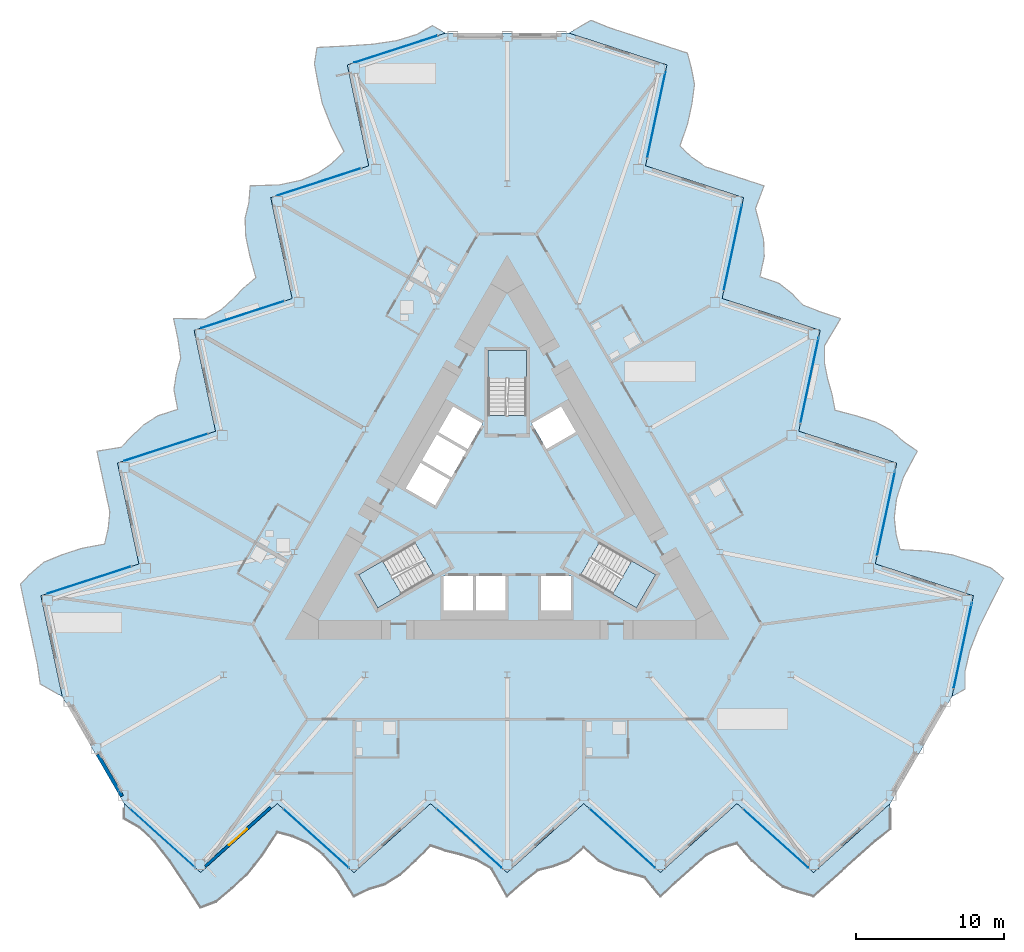
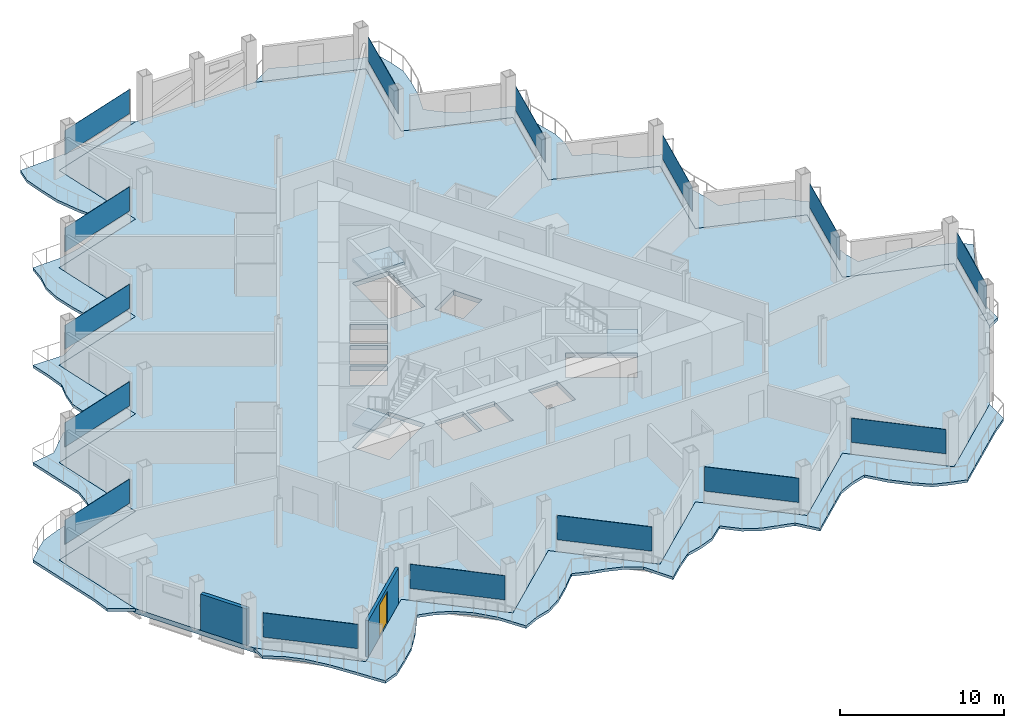
# One storey, part 10 of 23: 15 plates, 7 slabs, 2 walls, 1 door, 1 opening, 18 elements without a shape of their own.
"""IFC4 building model written with IfcOpenShell, lengths in metres."""

from ifc_helpers import new_model, si_unit, direction, frame, frame_2d, origin, origin_2d, place, context, subcontext, project, spatial, polyline, rectangle, outline, extrude, material, layer, layer_set, type_object, element, fill, aggregate, save


model = new_model("IFC4")

# Units and contexts
model_context = context("Model", 3, precision=1e-05, world=origin(), true_north=direction((0.0, 1.0)))
body_context = subcontext(model_context, "Body", "Model", "MODEL_VIEW")
ifc_project = project(units=[si_unit("LENGTHUNIT", "METRE"), si_unit("AREAUNIT", "SQUARE_METRE"), si_unit("VOLUMEUNIT", "CUBIC_METRE"), si_unit("PLANEANGLEUNIT", "RADIAN"), si_unit("MASSUNIT", "GRAM", prefix="KILO")], contexts=[model_context])

# Site, building, storey
site_placement = place(None, origin())
site = spatial("IfcSite", under=ifc_project, at=site_placement, CompositionType="ELEMENT")
building_placement = place(site_placement, origin())
building = spatial("IfcBuilding", under=site, at=building_placement, Name="Cormorant Prow Tower", CompositionType="ELEMENT")
storey_placement = place(building_placement, frame((0.0, 0.0, 249.0)))
storey = spatial("IfcBuildingStorey", under=building, at=storey_placement, Name="L55", CompositionType="ELEMENT", Elevation=249.0)

# Slabs
ifc_material_1 = material(Name="Concrete C40/50", Category="concrete")
ifc_layer_1 = layer(ifc_material_1, 0.199951171875)
ifc_layer_set_1 = layer_set([ifc_layer_1], Name="Concrete C40/50")
slab_type_1 = type_object("IfcSlabType", Name="Balcony slab 200", PredefinedType="FLOOR", material=ifc_layer_set_1)
slab_1_placement = place(storey_placement, frame((0.0, 0.0, -0.199951171875)))
element("IfcSlab", 1, at=slab_1_placement, inside=storey, type_object=slab_type_1, Name="Balcony slab S L55", PredefinedType="FLOOR", context=body_context, shape_type="SweptSolid", body=[
    extrude(outline(polyline([(-25.87841796875, -19.75830078125), (-25.87841796875, -20.7744140625), (-24.84326171875, -21.37548828125), (-23.808349609375, -22.331298828125), (-22.773193359375, -23.634521484375), (-21.738037109375, -25.177001953125), (-20.702880859375, -26.78076171875), (-19.667724609375, -26.38525390625), (-18.632568359375, -25.50439453125), (-17.597412109375, -24.572265625), (-16.562255859375, -23.269775390625), (-15.527099609375, -21.69287109375), (-14.491943359375, -21.969970703125), (-13.456787109375, -22.427978515625), (-12.421630859375, -23.20556640625), (-11.386474609375, -24.34716796875), (-10.351318359375, -26.018310546875), (-9.316162109375, -25.52685546875), (-8.281005859375, -25.22021484375), (-7.24609375, -24.572265625), (-6.2109375, -23.64013671875), (-5.17578125, -22.58984375), (-4.140625, -22.952392578125), (-3.10546875, -23.20947265625), (-2.0703125, -23.5576171875), (-1.03515625, -24.16748046875), (0.0, -26.018310546875), (1.03515625, -25.08642578125), (2.0703125, -24.262939453125), (3.10546875, -24.00146484375), (4.140625, -23.599853515625), (5.17578125, -22.708251953125), (6.2109375, -23.64013671875), (7.24609375, -24.1865234375), (8.281005859375, -24.470947265625), (9.316162109375, -24.75048828125), (10.351318359375, -26.018310546875), (11.386474609375, -25.08642578125), (12.421630859375, -24.154296875), (13.456787109375, -23.22216796875), (14.491943359375, -22.748779296875), (15.527099609375, -22.4384765625), (16.562255859375, -23.64013671875), (17.597412109375, -24.572265625), (18.632568359375, -25.373779296875), (19.667724609375, -25.731201171875), (20.702880859375, -26.018310546875), (21.738037109375, -25.08642578125), (22.773193359375, -24.154296875), (23.808349609375, -23.22216796875), (24.84326171875, -22.290283203125), (25.87841796875, -21.48486328125), (25.87841796875, -19.75830078125), (24.84326171875, -20.690185546875), (23.808349609375, -21.622314453125), (22.773193359375, -22.554443359375), (21.738037109375, -23.486328125), (20.702880859375, -24.41845703125), (19.667724609375, -23.486328125), (18.632568359375, -22.554443359375), (17.597412109375, -21.622314453125), (16.562255859375, -20.690185546875), (15.527099609375, -19.75830078125), (14.491943359375, -20.690185546875), (13.456787109375, -21.622314453125), (12.421630859375, -22.554443359375), (11.386474609375, -23.486328125), (10.351318359375, -24.41845703125), (9.316162109375, -23.486328125), (8.281005859375, -22.554443359375), (7.24609375, -21.622314453125), (6.2109375, -20.690185546875), (5.17578125, -19.75830078125), (4.140625, -20.690185546875), (3.10546875, -21.622314453125), (2.0703125, -22.554443359375), (1.03515625, -23.486328125), (0.0, -24.41845703125), (-1.03515625, -23.486328125), (-2.0703125, -22.554443359375), (-3.10546875, -21.622314453125), (-4.140625, -20.690185546875), (-5.17578125, -19.75830078125), (-6.2109375, -20.690185546875), (-7.24609375, -21.622314453125), (-8.281005859375, -22.554443359375), (-9.316162109375, -23.486328125), (-10.351318359375, -24.41845703125), (-11.386474609375, -23.486328125), (-12.421630859375, -22.554443359375), (-13.456787109375, -21.622314453125), (-14.491943359375, -20.690185546875), (-15.527099609375, -19.75830078125), (-16.562255859375, -20.690185546875), (-17.597412109375, -21.622314453125), (-18.632568359375, -22.554443359375), (-19.667724609375, -23.486328125), (-20.702880859375, -24.41845703125), (-21.738037109375, -23.486328125), (-22.773193359375, -22.554443359375), (-23.808349609375, -21.622314453125), (-24.84326171875, -20.690185546875), (-25.87841796875, -19.75830078125)])), origin(), (0.0, 0.0, 1.0), 0.199951171875),
])
slab_2_placement = place(storey_placement, frame((0.0, 0.0, -0.199951171875)))
element("IfcSlab", 2, at=slab_2_placement, inside=storey, type_object=slab_type_1, Name="Balcony slab ENE L55", PredefinedType="FLOOR", context=body_context, shape_type="SweptSolid", body=[
    extrude(outline(polyline([(30.05029296875, -12.532470703125), (30.930419921875, -12.0244140625), (30.93359375, -10.8271484375), (31.24365234375, -9.452880859375), (31.854736328125, -7.90478515625), (32.673095703125, -6.237060546875), (33.544189453125, -4.538818359375), (32.68408203125, -3.840087890625), (31.403564453125, -3.384033203125), (30.078857421875, -2.95361328125), (28.433349609375, -2.70849609375), (26.55029296875, -2.600341796875), (26.2724609375, -1.5654296875), (26.151611328125, -0.43994140625), (26.307373046875, 0.84521484375), (26.778564453125, 2.3125), (27.708251953125, 4.044677734375), (26.764892578125, 4.6953125), (25.98193359375, 5.4384765625), (24.9033203125, 6.010986328125), (23.578369140625, 6.44140625), (22.151123046875, 6.812744140625), (21.94775390625, 7.890380859375), (21.652587890625, 8.915283203125), (21.436767578125, 9.98583984375), (21.447265625, 11.187255859375), (22.53271484375, 13.00927734375), (21.207763671875, 13.439697265625), (19.977294921875, 13.924560546875), (19.233154296875, 14.690185546875), (18.367919921875, 15.3857421875), (17.078125, 15.83642578125), (17.36767578125, 17.198974609375), (17.322998046875, 18.368408203125), (17.0517578125, 19.406982421875), (16.7763671875, 20.443359375), (17.35693359375, 21.973876953125), (16.0322265625, 22.404296875), (14.70751953125, 22.834716796875), (13.382568359375, 23.26513671875), (12.455078125, 23.9248046875), (11.668701171875, 24.666015625), (12.19189453125, 26.163330078125), (12.4814453125, 27.52587890625), (12.657958984375, 28.822998046875), (12.449951171875, 29.898193359375), (12.18115234375, 30.9384765625), (10.8564453125, 31.368896484375), (9.53173828125, 31.79931640625), (8.20703125, 32.229736328125), (6.88232421875, 32.66015625), (5.667236328125, 33.154052734375), (4.171875, 32.29052734375), (5.49658203125, 31.860107421875), (6.8212890625, 31.4296875), (8.14599609375, 30.999267578125), (9.470703125, 30.56884765625), (10.795654296875, 30.138427734375), (10.505859375, 28.77587890625), (10.21630859375, 27.413330078125), (9.9267578125, 26.051025390625), (9.63720703125, 24.6884765625), (9.34765625, 23.325927734375), (10.67236328125, 22.8955078125), (11.9970703125, 22.465087890625), (13.32177734375, 22.03466796875), (14.646484375, 21.604248046875), (15.97119140625, 21.173828125), (15.681640625, 19.811279296875), (15.39208984375, 18.44873046875), (15.1025390625, 17.08642578125), (14.812744140625, 15.723876953125), (14.523193359375, 14.361328125), (15.847900390625, 13.930908203125), (17.172607421875, 13.50048828125), (18.49755859375, 13.070068359375), (19.822265625, 12.6396484375), (21.14697265625, 12.209228515625), (20.857421875, 10.8466796875), (20.56787109375, 9.484130859375), (20.278076171875, 8.121826171875), (19.988525390625, 6.75927734375), (19.698974609375, 5.396728515625), (21.023681640625, 4.96630859375), (22.348388671875, 4.535888671875), (23.673095703125, 4.10546875), (24.997802734375, 3.675048828125), (26.32275390625, 3.24462890625), (26.032958984375, 1.882080078125), (25.743408203125, 0.519775390625), (25.453857421875, -0.8427734375), (25.164306640625, -2.205322265625), (24.874755859375, -3.56787109375), (26.199462890625, -3.998291015625), (27.524169921875, -4.4287109375), (28.848876953125, -4.859130859375), (30.173583984375, -5.28955078125), (31.498291015625, -5.719970703125), (31.208740234375, -7.08251953125), (30.919189453125, -8.44482421875), (30.629638671875, -9.807373046875), (30.33984375, -11.169921875), (30.05029296875, -12.532470703125)])), origin(), (0.0, 0.0, 1.0), 0.199951171875),
])
slab_3_placement = place(storey_placement, frame((0.0, 0.0, -0.199951171875)))
element("IfcSlab", 3, at=slab_3_placement, inside=storey, type_object=slab_type_1, Name="Balcony slab WNW L55", PredefinedType="FLOOR", context=body_context, shape_type="SweptSolid", body=[
    extrude(outline(polyline([(-4.171875, 32.29052734375), (-5.0517578125, 32.798583984375), (-6.090087890625, 32.202880859375), (-7.435302734375, 31.7841796875), (-9.08154296875, 31.539306640625), (-10.93505859375, 31.4140625), (-12.84130859375, 31.319580078125), (-13.016357421875, 30.225341796875), (-12.771240234375, 28.888427734375), (-12.4814453125, 27.52587890625), (-11.87109375, 25.978271484375), (-11.023193359375, 24.29345703125), (-11.780517578125, 23.535400390625), (-12.69482421875, 22.867919921875), (-13.8857421875, 22.360107421875), (-15.39208984375, 22.03466796875), (-17.35693359375, 21.973876953125), (-17.44873046875, 20.83154296875), (-17.700927734375, 19.78173828125), (-17.6572265625, 18.561279296875), (-17.36767578125, 17.198974609375), (-16.9755859375, 15.777099609375), (-17.80712890625, 15.06201171875), (-18.547119140625, 14.294189453125), (-19.366455078125, 13.57177734375), (-20.412109375, 12.980224609375), (-22.53271484375, 13.00927734375), (-22.242919921875, 11.646728515625), (-22.047607421875, 10.338623046875), (-22.338623046875, 9.311279296875), (-22.508544921875, 8.214111328125), (-22.253662109375, 6.871826171875), (-23.578369140625, 6.44140625), (-24.569091796875, 5.818115234375), (-25.3330078125, 5.063720703125), (-26.092529296875, 4.30712890625), (-27.708251953125, 4.044677734375), (-27.418701171875, 2.68212890625), (-27.129150390625, 1.319580078125), (-26.839599609375, -0.042724609375), (-26.947021484375, -1.176025390625), (-27.19580078125, -2.2275390625), (-28.754150390625, -2.523193359375), (-30.078857421875, -2.95361328125), (-31.29052734375, -3.449462890625), (-32.11767578125, -4.167236328125), (-32.884033203125, -4.919921875), (-32.594482421875, -6.282470703125), (-32.3046875, -7.64501953125), (-32.01513671875, -9.00732421875), (-31.7255859375, -10.369873046875), (-31.5458984375, -11.6689453125), (-30.05029296875, -12.532470703125), (-30.33984375, -11.169921875), (-30.629638671875, -9.807373046875), (-30.919189453125, -8.44482421875), (-31.208740234375, -7.08251953125), (-31.498291015625, -5.719970703125), (-30.173583984375, -5.28955078125), (-28.848876953125, -4.859130859375), (-27.524169921875, -4.4287109375), (-26.199462890625, -3.998291015625), (-24.874755859375, -3.56787109375), (-25.164306640625, -2.205322265625), (-25.453857421875, -0.8427734375), (-25.743408203125, 0.519775390625), (-26.032958984375, 1.882080078125), (-26.32275390625, 3.24462890625), (-24.997802734375, 3.675048828125), (-23.673095703125, 4.10546875), (-22.348388671875, 4.535888671875), (-21.023681640625, 4.96630859375), (-19.698974609375, 5.396728515625), (-19.988525390625, 6.75927734375), (-20.278076171875, 8.121826171875), (-20.56787109375, 9.484130859375), (-20.857421875, 10.8466796875), (-21.14697265625, 12.209228515625), (-19.822265625, 12.6396484375), (-18.49755859375, 13.070068359375), (-17.172607421875, 13.50048828125), (-15.847900390625, 13.930908203125), (-14.523193359375, 14.361328125), (-14.812744140625, 15.723876953125), (-15.1025390625, 17.08642578125), (-15.39208984375, 18.44873046875), (-15.681640625, 19.811279296875), (-15.97119140625, 21.173828125), (-14.646484375, 21.604248046875), (-13.32177734375, 22.03466796875), (-11.9970703125, 22.465087890625), (-10.67236328125, 22.8955078125), (-9.34765625, 23.325927734375), (-9.63720703125, 24.6884765625), (-9.9267578125, 26.051025390625), (-10.21630859375, 27.413330078125), (-10.505859375, 28.77587890625), (-10.795654296875, 30.138427734375), (-9.470703125, 30.56884765625), (-8.14599609375, 30.999267578125), (-6.8212890625, 31.4296875), (-5.49658203125, 31.860107421875), (-4.171875, 32.29052734375)])), origin(), (0.0, 0.0, 1.0), 0.199951171875),
])

# Curtain wall, plate
ifc_material_2 = material(Name="Aluminium 6063-T6", Category="aluminium")
ifc_layer_2 = layer(ifc_material_2, 0.179931640625)
ifc_layer_set_2 = layer_set([ifc_layer_2], Name="Aluminium 6063-T6")
curtain_wall_type = type_object("IfcCurtainWallType", Name="Hotel unitised curtain wall 180", PredefinedType="NOTDEFINED", material=ifc_layer_set_2)
curtain_wall_1_placement = place(storey_placement, origin())
curtain_wall_1 = element("IfcCurtainWall", 4, at=curtain_wall_1_placement, inside=storey, type_object=curtain_wall_type, Name="Hotel curtain wall S00", PredefinedType="NOTDEFINED")
ifc_material_3 = material(Name="Clear glass", Category="glass")
ifc_layer_3 = layer(ifc_material_3, 0.028076171875)
ifc_layer_set_3 = layer_set([ifc_layer_3], Name="Clear glass")
plate_type = type_object("IfcPlateType", Name="Hotel glass panel 28", PredefinedType="CURTAIN_PANEL", material=ifc_layer_set_3)
plate_1_placement = place(storey_placement, frame((-23.268310546875, -22.1083984375, 0.900146484375), z_axis=(0.0, 0.0, 1.0), x_axis=(0.743144812176, -0.669130621132, 0.0)))
plate_1 = element("IfcPlate", 5, at=plate_1_placement, type_object=plate_type, Name="Hotel glass panel S00", PredefinedType="CURTAIN_PANEL", context=body_context, shape_type="SweptSolid", body=[
    extrude(rectangle(XDim=5.902587890625, YDim=0.028076171875, at=origin_2d()), origin(), (0.0, 0.0, 1.0), 1.80078125),
])
aggregate(curtain_wall_1, [plate_1])

curtain_wall_2_placement = place(storey_placement, origin())
curtain_wall_2 = element("IfcCurtainWall", 6, at=curtain_wall_2_placement, inside=storey, type_object=curtain_wall_type, Name="Hotel curtain wall S02", PredefinedType="NOTDEFINED")
plate_2_placement = place(storey_placement, frame((-12.9169921875, -22.1083984375, 0.900146484375), z_axis=(0.0, 0.0, 1.0), x_axis=(0.743144876466, -0.66913054973, 0.0)))
plate_2 = element("IfcPlate", 7, at=plate_2_placement, type_object=plate_type, Name="Hotel glass panel S02", PredefinedType="CURTAIN_PANEL", context=body_context, shape_type="SweptSolid", body=[
    extrude(rectangle(XDim=5.902587890625, YDim=0.028076171875, at=origin_2d()), origin(), (0.0, 0.0, 1.0), 1.80078125),
])
aggregate(curtain_wall_2, [plate_2])

curtain_wall_3_placement = place(storey_placement, origin())
curtain_wall_3 = element("IfcCurtainWall", 8, at=curtain_wall_3_placement, inside=storey, type_object=curtain_wall_type, Name="Hotel curtain wall S04", PredefinedType="NOTDEFINED")
plate_3_placement = place(storey_placement, frame((-2.565673828125, -22.1083984375, 0.900146484375), z_axis=(0.0, 0.0, 1.0), x_axis=(0.743144812176, -0.669130621132, 0.0)))
plate_3 = element("IfcPlate", 9, at=plate_3_placement, type_object=plate_type, Name="Hotel glass panel S04", PredefinedType="CURTAIN_PANEL", context=body_context, shape_type="SweptSolid", body=[
    extrude(rectangle(XDim=5.902587890625, YDim=0.028076171875, at=origin_2d()), origin(), (0.0, 0.0, 1.0), 1.80078125),
])
aggregate(curtain_wall_3, [plate_3])

curtain_wall_4_placement = place(storey_placement, origin())
curtain_wall_4 = element("IfcCurtainWall", 10, at=curtain_wall_4_placement, inside=storey, type_object=curtain_wall_type, Name="Hotel curtain wall S06", PredefinedType="NOTDEFINED")
plate_4_placement = place(storey_placement, frame((7.785888671875, -22.1083984375, 0.900146484375), z_axis=(0.0, 0.0, 1.0), x_axis=(0.743144812176, -0.669130621132, 0.0)))
plate_4 = element("IfcPlate", 11, at=plate_4_placement, type_object=plate_type, Name="Hotel glass panel S06", PredefinedType="CURTAIN_PANEL", context=body_context, shape_type="SweptSolid", body=[
    extrude(rectangle(XDim=5.902587890625, YDim=0.028076171875, at=origin_2d()), origin(), (0.0, 0.0, 1.0), 1.80078125),
])
aggregate(curtain_wall_4, [plate_4])

curtain_wall_5_placement = place(storey_placement, origin())
curtain_wall_5 = element("IfcCurtainWall", 12, at=curtain_wall_5_placement, inside=storey, type_object=curtain_wall_type, Name="Hotel curtain wall S08", PredefinedType="NOTDEFINED")
plate_5_placement = place(storey_placement, frame((18.13720703125, -22.1083984375, 0.900146484375), z_axis=(0.0, 0.0, 1.0), x_axis=(0.743144812176, -0.669130621132, 0.0)))
plate_5 = element("IfcPlate", 13, at=plate_5_placement, type_object=plate_type, Name="Hotel glass panel S08", PredefinedType="CURTAIN_PANEL", context=body_context, shape_type="SweptSolid", body=[
    extrude(rectangle(XDim=5.902587890625, YDim=0.028076171875, at=origin_2d()), origin(), (0.0, 0.0, 1.0), 1.80078125),
])
aggregate(curtain_wall_5, [plate_5])

curtain_wall_6_placement = place(storey_placement, origin())
curtain_wall_6 = element("IfcCurtainWall", 14, at=curtain_wall_6_placement, inside=storey, type_object=curtain_wall_type, Name="Hotel curtain wall ENE00", PredefinedType="NOTDEFINED")
plate_6_placement = place(storey_placement, frame((30.780517578125, -9.096923828125, 0.900146484375), z_axis=(0.0, 0.0, 1.0), x_axis=(0.207911667327, 0.978147605727, 0.0)))
plate_6 = element("IfcPlate", 15, at=plate_6_placement, type_object=plate_type, Name="Hotel glass panel ENE00", PredefinedType="CURTAIN_PANEL", context=body_context, shape_type="SweptSolid", body=[
    extrude(rectangle(XDim=5.902587890625, YDim=0.028076171875, at=origin_2d()), origin(), (0.0, 0.0, 1.0), 1.80078125),
])
aggregate(curtain_wall_6, [plate_6])

curtain_wall_7_placement = place(storey_placement, origin())
curtain_wall_7 = element("IfcCurtainWall", 16, at=curtain_wall_7_placement, inside=storey, type_object=curtain_wall_type, Name="Hotel curtain wall ENE02", PredefinedType="NOTDEFINED")
plate_7_placement = place(storey_placement, frame((25.60498046875, -0.13232421875, 0.900146484375), z_axis=(0.0, 0.0, 1.0), x_axis=(0.207911667327, 0.978147605727, 0.0)))
plate_7 = element("IfcPlate", 17, at=plate_7_placement, type_object=plate_type, Name="Hotel glass panel ENE02", PredefinedType="CURTAIN_PANEL", context=body_context, shape_type="SweptSolid", body=[
    extrude(rectangle(XDim=5.902587890625, YDim=0.028076171875, at=origin_2d()), origin(), (0.0, 0.0, 1.0), 1.80078125),
])
aggregate(curtain_wall_7, [plate_7])

curtain_wall_8_placement = place(storey_placement, origin())
curtain_wall_8 = element("IfcCurtainWall", 18, at=curtain_wall_8_placement, inside=storey, type_object=curtain_wall_type, Name="Hotel curtain wall ENE04", PredefinedType="NOTDEFINED")
plate_8_placement = place(storey_placement, frame((20.42919921875, 8.832275390625, 0.900146484375), z_axis=(0.0, 0.0, 1.0), x_axis=(0.207911667327, 0.978147605727, 0.0)))
plate_8 = element("IfcPlate", 19, at=plate_8_placement, type_object=plate_type, Name="Hotel glass panel ENE04", PredefinedType="CURTAIN_PANEL", context=body_context, shape_type="SweptSolid", body=[
    extrude(rectangle(XDim=5.902587890625, YDim=0.028076171875, at=origin_2d()), origin(), (0.0, 0.0, 1.0), 1.80078125),
])
aggregate(curtain_wall_8, [plate_8])

curtain_wall_9_placement = place(storey_placement, origin())
curtain_wall_9 = element("IfcCurtainWall", 20, at=curtain_wall_9_placement, inside=storey, type_object=curtain_wall_type, Name="Hotel curtain wall ENE06", PredefinedType="NOTDEFINED")
plate_9_placement = place(storey_placement, frame((15.25341796875, 17.796875, 0.900146484375), z_axis=(0.0, 0.0, 1.0), x_axis=(0.207911833914, 0.978147570318, 0.0)))
plate_9 = element("IfcPlate", 21, at=plate_9_placement, type_object=plate_type, Name="Hotel glass panel ENE06", PredefinedType="CURTAIN_PANEL", context=body_context, shape_type="SweptSolid", body=[
    extrude(rectangle(XDim=5.902587890625, YDim=0.028076171875, at=origin_2d()), origin(), (0.0, 0.0, 1.0), 1.80078125),
])
aggregate(curtain_wall_9, [plate_9])

curtain_wall_10_placement = place(storey_placement, origin())
curtain_wall_10 = element("IfcCurtainWall", 22, at=curtain_wall_10_placement, inside=storey, type_object=curtain_wall_type, Name="Hotel curtain wall ENE08", PredefinedType="NOTDEFINED")
plate_10_placement = place(storey_placement, frame((10.077880859375, 26.761474609375, 0.900146484375), z_axis=(0.0, 0.0, 1.0), x_axis=(0.207911667327, 0.978147605727, 0.0)))
plate_10 = element("IfcPlate", 23, at=plate_10_placement, type_object=plate_type, Name="Hotel glass panel ENE08", PredefinedType="CURTAIN_PANEL", context=body_context, shape_type="SweptSolid", body=[
    extrude(rectangle(XDim=5.902587890625, YDim=0.028076171875, at=origin_2d()), origin(), (0.0, 0.0, 1.0), 1.80078125),
])
aggregate(curtain_wall_10, [plate_10])

curtain_wall_11_placement = place(storey_placement, origin())
curtain_wall_11 = element("IfcCurtainWall", 24, at=curtain_wall_11_placement, inside=storey, type_object=curtain_wall_type, Name="Hotel curtain wall WNW00", PredefinedType="NOTDEFINED")
plate_11_placement = place(storey_placement, frame((-7.51220703125, 31.205078125, 0.900146484375), z_axis=(0.0, 0.0, 1.0), x_axis=(-0.951056504268, -0.309017031391, 0.0)))
plate_11 = element("IfcPlate", 25, at=plate_11_placement, type_object=plate_type, Name="Hotel glass panel WNW00", PredefinedType="CURTAIN_PANEL", context=body_context, shape_type="SweptSolid", body=[
    extrude(rectangle(XDim=5.902587890625, YDim=0.028076171875, at=origin_2d()), origin(), (0.0, 0.0, 1.0), 1.80078125),
])
aggregate(curtain_wall_11, [plate_11])

curtain_wall_12_placement = place(storey_placement, origin())
curtain_wall_12 = element("IfcCurtainWall", 26, at=curtain_wall_12_placement, inside=storey, type_object=curtain_wall_type, Name="Hotel curtain wall WNW02", PredefinedType="NOTDEFINED")
plate_12_placement = place(storey_placement, frame((-12.68798828125, 22.24072265625, 0.900146484375), z_axis=(0.0, 0.0, 1.0), x_axis=(-0.951056517978, -0.309016989196, 0.0)))
plate_12 = element("IfcPlate", 27, at=plate_12_placement, type_object=plate_type, Name="Hotel glass panel WNW02", PredefinedType="CURTAIN_PANEL", context=body_context, shape_type="SweptSolid", body=[
    extrude(rectangle(XDim=5.902587890625, YDim=0.028076171875, at=origin_2d()), origin(), (0.0, 0.0, 1.0), 1.80078125),
])
aggregate(curtain_wall_12, [plate_12])

curtain_wall_13_placement = place(storey_placement, origin())
curtain_wall_13 = element("IfcCurtainWall", 28, at=curtain_wall_13_placement, inside=storey, type_object=curtain_wall_type, Name="Hotel curtain wall WNW04", PredefinedType="NOTDEFINED")
plate_13_placement = place(storey_placement, frame((-17.863525390625, 13.276123046875, 0.900146484375), z_axis=(0.0, 0.0, 1.0), x_axis=(-0.951056517978, -0.309016989196, 0.0)))
plate_13 = element("IfcPlate", 29, at=plate_13_placement, type_object=plate_type, Name="Hotel glass panel WNW04", PredefinedType="CURTAIN_PANEL", context=body_context, shape_type="SweptSolid", body=[
    extrude(rectangle(XDim=5.902587890625, YDim=0.028076171875, at=origin_2d()), origin(), (0.0, 0.0, 1.0), 1.80078125),
])
aggregate(curtain_wall_13, [plate_13])

curtain_wall_14_placement = place(storey_placement, origin())
curtain_wall_14 = element("IfcCurtainWall", 30, at=curtain_wall_14_placement, inside=storey, type_object=curtain_wall_type, Name="Hotel curtain wall WNW06", PredefinedType="NOTDEFINED")
plate_14_placement = place(storey_placement, frame((-23.039306640625, 4.3115234375, 0.900146484375), z_axis=(0.0, 0.0, 1.0), x_axis=(-0.951056504268, -0.309017031391, 0.0)))
plate_14 = element("IfcPlate", 31, at=plate_14_placement, type_object=plate_type, Name="Hotel glass panel WNW06", PredefinedType="CURTAIN_PANEL", context=body_context, shape_type="SweptSolid", body=[
    extrude(rectangle(XDim=5.902587890625, YDim=0.028076171875, at=origin_2d()), origin(), (0.0, 0.0, 1.0), 1.80078125),
])
aggregate(curtain_wall_14, [plate_14])

curtain_wall_15_placement = place(storey_placement, origin())
curtain_wall_15 = element("IfcCurtainWall", 32, at=curtain_wall_15_placement, inside=storey, type_object=curtain_wall_type, Name="Hotel curtain wall WNW08", PredefinedType="NOTDEFINED")
plate_15_placement = place(storey_placement, frame((-28.215087890625, -4.653076171875, 0.900146484375), z_axis=(0.0, 0.0, 1.0), x_axis=(-0.951056546466, -0.30901690152, 0.0)))
plate_15 = element("IfcPlate", 33, at=plate_15_placement, type_object=plate_type, Name="Hotel glass panel WNW08", PredefinedType="CURTAIN_PANEL", context=body_context, shape_type="SweptSolid", body=[
    extrude(rectangle(XDim=5.902587890625, YDim=0.028076171875, at=origin_2d()), origin(), (0.0, 0.0, 1.0), 1.80078125),
])
aggregate(curtain_wall_15, [plate_15])

# Slab
ifc_material_4 = material(Name="Concrete C40/50", Category="concrete")
ifc_layer_4 = layer(ifc_material_4, 0.35009765625)
ifc_layer_set_4 = layer_set([ifc_layer_4], Name="Concrete C40/50")
slab_type_2 = type_object("IfcSlabType", Name="Post-tensioned flat slab 350", PredefinedType="FLOOR", material=ifc_layer_set_4)
slab_4_placement = place(storey_placement, frame((0.0, 0.0, -0.35009765625)))
element("IfcSlab", 34, at=slab_4_placement, inside=storey, type_object=slab_type_2, Name="Floor slab L55", PredefinedType="FLOOR", context=body_context, shape_type="SweptSolid", body=[
    extrude(outline(polyline([(-9.34765625, 23.325927734375), (-15.97119140625, 21.173828125), (-14.523193359375, 14.361328125), (-21.14697265625, 12.209228515625), (-19.698974609375, 5.396728515625), (-26.32275390625, 3.24462890625), (-24.874755859375, -3.56787109375), (-31.498291015625, -5.719970703125), (-30.05029296875, -12.532470703125), (-27.96435546875, -16.145263671875), (-25.87841796875, -19.75830078125), (-20.702880859375, -24.41845703125), (-15.527099609375, -19.75830078125), (-10.351318359375, -24.41845703125), (-5.17578125, -19.75830078125), (0.0, -24.41845703125), (5.17578125, -19.75830078125), (10.351318359375, -24.41845703125), (15.527099609375, -19.75830078125), (20.702880859375, -24.41845703125), (25.87841796875, -19.75830078125), (27.96435546875, -16.145263671875), (30.05029296875, -12.532470703125), (31.498291015625, -5.719970703125), (24.874755859375, -3.56787109375), (26.32275390625, 3.24462890625), (19.698974609375, 5.396728515625), (21.14697265625, 12.209228515625), (14.523193359375, 14.361328125), (15.97119140625, 21.173828125), (9.34765625, 23.325927734375), (10.795654296875, 30.138427734375), (4.171875, 32.29052734375), (0.0, 32.29052734375), (-4.171875, 32.29052734375), (-10.795654296875, 30.138427734375), (-9.34765625, 23.325927734375)]), holes=[polyline([(-4.300048828125, -4.39990234375), (-2.300048828125, -4.39990234375), (-2.300048828125, -6.699951171875), (-4.300048828125, -6.699951171875), (-4.300048828125, -4.39990234375)]), polyline([(-0.10009765625, -4.39990234375), (-0.10009765625, -6.699951171875), (-2.10009765625, -6.699951171875), (-2.10009765625, -4.39990234375), (-0.10009765625, -4.39990234375)]), polyline([(4.300048828125, -6.699951171875), (2.300048828125, -6.699951171875), (2.300048828125, -4.39990234375), (4.300048828125, -4.39990234375), (4.300048828125, -6.699951171875)]), polyline([(4.65234375, 5.341796875), (2.660400390625, 4.19189453125), (1.660400390625, 5.923828125), (3.65234375, 7.073974609375), (4.65234375, 5.341796875)]), polyline([(-1.660400390625, 5.923828125), (-2.660400390625, 4.19189453125), (-4.65234375, 5.341796875), (-3.65234375, 7.073974609375), (-1.660400390625, 5.923828125)]), polyline([(-3.760498046875, 2.28662109375), (-5.75244140625, 3.4365234375), (-4.75244140625, 5.168701171875), (-2.760498046875, 4.018798828125), (-3.760498046875, 2.28662109375)]), polyline([(-6.852294921875, 1.53125), (-5.852294921875, 3.263427734375), (-3.860595703125, 2.11328125), (-4.860595703125, 0.38134765625), (-6.852294921875, 1.53125)]), polyline([(-4.947509765625, -4.3505859375), (-8.738037109375, -6.5390625), (-10.031982421875, -4.2978515625), (-6.241455078125, -2.109375), (-4.947509765625, -4.3505859375)]), polyline([(10.031982421875, -4.2978515625), (8.738037109375, -6.5390625), (4.947509765625, -4.3505859375), (6.241455078125, -2.109375), (10.031982421875, -4.2978515625)]), polyline([(1.2939453125, 10.8369140625), (1.2939453125, 6.459716796875), (-1.2939453125, 6.459716796875), (-1.2939453125, 10.8369140625), (1.2939453125, 10.8369140625)])]), origin(), (0.0, 0.0, 1.0), 0.35009765625),
])

# Stair, slab
ifc_material_5 = material(Name="Exit stair 20 risers")
stair_type = type_object("IfcStairType", Name="Exit stair 20 risers", PredefinedType="HALF_TURN_STAIR", material=ifc_material_5)
stair_1_placement = place(storey_placement, origin())
stair_1 = element("IfcStair", 35, at=stair_1_placement, inside=storey, type_object=stair_type, Name="L55 Exit stair ST1", PredefinedType="HALF_TURN_STAIR")
ifc_material_6 = material(Name="Concrete 5000 psi", Category="concrete")
ifc_layer_5 = layer(ifc_material_6, 0.199951171875)
ifc_layer_set_5 = layer_set([ifc_layer_5], Name="Concrete 5000 psi")
slab_type_3 = type_object("IfcSlabType", Name="Stair landing 200", PredefinedType="LANDING", material=ifc_layer_set_5)
slab_5_placement = place(storey_placement, frame((0.0, 0.0, 1.60009765625)))
slab_5 = element("IfcSlab", 36, at=slab_5_placement, type_object=slab_type_3, Name="ST1 landing 1", PredefinedType="LANDING", context=body_context, shape_type="SweptSolid", body=[
    extrude(outline(polyline([(-8.416748046875, -3.365234375), (-10.031982421875, -4.2978515625), (-8.738037109375, -6.5390625), (-7.122802734375, -5.6064453125), (-8.416748046875, -3.365234375)])), origin(), (0.0, 0.0, 1.0), 0.199951171875),
])
aggregate(stair_1, [slab_5])

stair_2_placement = place(storey_placement, origin())
stair_2 = element("IfcStair", 37, at=stair_2_placement, inside=storey, type_object=stair_type, Name="L55 Exit stair ST2", PredefinedType="HALF_TURN_STAIR")
slab_6_placement = place(storey_placement, frame((0.0, 0.0, 1.60009765625)))
slab_6 = element("IfcSlab", 38, at=slab_6_placement, type_object=slab_type_3, Name="ST2 landing 1", PredefinedType="LANDING", context=body_context, shape_type="SweptSolid", body=[
    extrude(outline(polyline([(7.122802734375, -5.6064453125), (8.738037109375, -6.5390625), (10.031982421875, -4.2978515625), (8.416748046875, -3.365234375), (7.122802734375, -5.6064453125)])), origin(), (0.0, 0.0, 1.0), 0.199951171875),
])
aggregate(stair_2, [slab_6])

stair_3_placement = place(storey_placement, origin())
stair_3 = element("IfcStair", 39, at=stair_3_placement, inside=storey, type_object=stair_type, Name="L55 Exit stair ST3", PredefinedType="HALF_TURN_STAIR")
slab_7_placement = place(storey_placement, frame((0.0, 0.0, 1.60009765625)))
slab_7 = element("IfcSlab", 40, at=slab_7_placement, type_object=slab_type_3, Name="ST3 landing 1", PredefinedType="LANDING", context=body_context, shape_type="SweptSolid", body=[
    extrude(outline(polyline([(1.2939453125, 8.971923828125), (1.2939453125, 10.8369140625), (-1.2939453125, 10.8369140625), (-1.2939453125, 8.971923828125), (1.2939453125, 8.971923828125)])), origin(), (0.0, 0.0, 1.0), 0.199951171875),
])
aggregate(stair_3, [slab_7])

# Wall
ifc_material_7 = material(Name="Terracotta", Category="masonry")
ifc_layer_6 = layer(ifc_material_7, 0.25)
ifc_layer_set_6 = layer_set([ifc_layer_6], Name="Terracotta")
wall_type_1 = type_object("IfcWallType", Name="Terracotta bay wall 250", PredefinedType="SOLIDWALL", material=ifc_layer_set_6)
wall_1_placement = place(storey_placement, frame((-27.65185546875, -16.436767578125, 0.0), z_axis=(0.0, 0.0, 1.0), x_axis=(0.500026945261, -0.866009846372, 0.0)))
element("IfcWall", 41, at=wall_1_placement, inside=storey, type_object=wall_type_1, Name="Terracotta bay wall WSW01", PredefinedType="SOLIDWALL", context=body_context, shape_type="SweptSolid", body=[
    extrude(rectangle(XDim=3.261962890625, YDim=0.25, at=frame_2d((1.630859375, 0.0))), origin(), (0.0, 0.0, 1.0), 2.700927734375),
])

# Wall, opening, door
ifc_material_8 = material(Name="Terracotta", Category="masonry")
ifc_layer_7 = layer(ifc_material_8, 0.199951171875)
ifc_layer_set_7 = layer_set([ifc_layer_7], Name="Terracotta")
wall_type_2 = type_object("IfcWallType", Name="Terracotta jamb wall 200", PredefinedType="SOLIDWALL", material=ifc_layer_set_7)
wall_2_placement = place(storey_placement, frame((-20.3974609375, -24.0087890625, 0.0), z_axis=(0.0, 0.0, 1.0), x_axis=(0.74315161366, 0.669123067241, 0.0)))
wall_2 = element("IfcWall", 42, at=wall_2_placement, inside=storey, type_object=wall_type_2, Name="Terracotta jamb wall S01", PredefinedType="SOLIDWALL", context=body_context, shape_type="SweptSolid", body=[
    extrude(rectangle(XDim=5.962646484375, YDim=0.199951171875, at=frame_2d((2.9814453125, 0.0))), origin(), (0.0, 0.0, 1.0), 2.700927734375),
])
opening_placement = place(wall_2_placement, frame((2.181396484375, 0.0, 0.0)))
opening = element("IfcOpeningElement", 43, at=opening_placement, cuts=wall_2, Name="Opening ED55.01", PredefinedType="OPENING", context=body_context, shape_type="SweptSolid", body=[
    extrude(rectangle(XDim=1.60009765625, YDim=2.39990234375, at=frame_2d((0.800048828125, 1.199951171875))), frame((0.0, 0.10986328125, 0.0), z_axis=(0.0, -1.0, 0.0), x_axis=(1.0, 0.0, 0.0)), (0.0, 0.0, 1.0), 0.219970703125),
])
ifc_material_9 = material(Name="Aluminium 6063-T6", Category="aluminium")
door_type = type_object("IfcDoorType", Name="Balcony door 1600x2400", OperationType="DOUBLE_DOOR_SINGLE_SWING", PredefinedType="DOOR", material=ifc_material_9)
door_placement = place(opening_placement, origin())
door = element("IfcDoor", 44, at=door_placement, inside=storey, type_object=door_type, Name="Balcony door S01 ED55.01", OperationType="DOUBLE_DOOR_SINGLE_SWING", OverallHeight=2.39990234375, OverallWidth=1.60009765625, PredefinedType="DOOR", context=body_context, shape_type="SweptSolid", body=[
    extrude(rectangle(XDim=1.60009765625, YDim=2.39990234375, at=frame_2d((0.800048828125, 1.199951171875))), frame((0.0, 0.02490234375, 0.0), z_axis=(0.0, -1.0, 0.0), x_axis=(1.0, 0.0, 0.0)), (0.0, 0.0, 1.0), 0.050048828125),
])
fill(opening, door)

save(model, "model.ifc")
